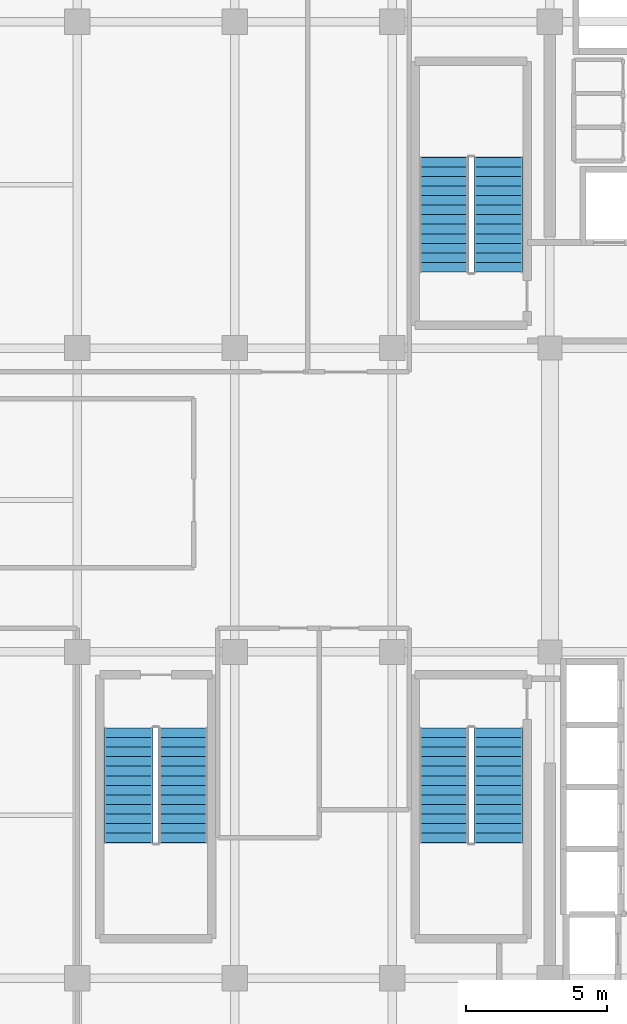
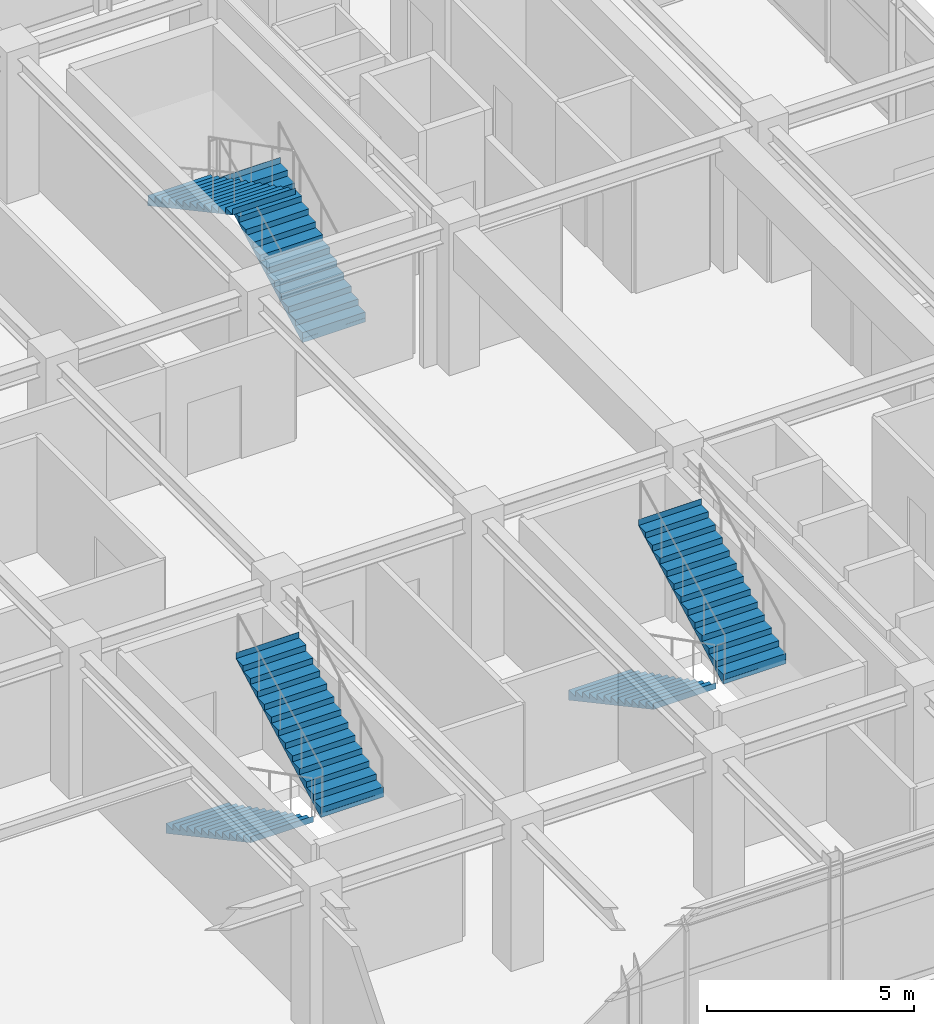
# One storey, part 22 of 25: 6 stair flights, 3 elements without a shape of their own.
"""IFC4 building model written with IfcOpenShell, lengths in metres."""

from ifc_helpers import new_model, si_unit, direction, frame, origin, place, context, subcontext, project, spatial, polyline, outline, extrude, source, transform, mapped, material, layer, layer_set, type_object, element, aggregate, save


model = new_model("IFC4")

# Units and contexts
model_context = context("Model", 3, precision=1e-05, world=origin(), true_north=direction((0.0, 1.0)))
body_context = subcontext(model_context, "Body", "Model", "MODEL_VIEW")
ifc_project = project(units=[si_unit("LENGTHUNIT", "METRE"), si_unit("AREAUNIT", "SQUARE_METRE"), si_unit("VOLUMEUNIT", "CUBIC_METRE"), si_unit("PLANEANGLEUNIT", "RADIAN"), si_unit("MASSUNIT", "GRAM", prefix="KILO")], contexts=[model_context])

# Site, building, storey
site_placement = place(None, origin())
site = spatial("IfcSite", under=ifc_project, at=site_placement, CompositionType="ELEMENT")
building_placement = place(site_placement, origin())
building = spatial("IfcBuilding", under=site, at=building_placement, Name="Nahalor Promenade Grand Hotel", CompositionType="ELEMENT")
storey_placement = place(building_placement, frame((0.0, 0.0, 338.550048828125)))
storey = spatial("IfcBuildingStorey", under=building, at=storey_placement, Name="L87", CompositionType="ELEMENT", Elevation=338.550048828125)

# Stair, stair flights
ifc_material = material(Name="Concrete B-50 (C40/50)", Category="concrete")
stair_type_1 = type_object("IfcStairType", Name="Stair-ST1", PredefinedType="HALF_TURN_STAIR", material=ifc_material)
stair_1_placement = place(storey_placement, origin())
stair_1 = element("IfcStair", 1, at=stair_1_placement, inside=storey, type_object=stair_type_1, Name="L87 ST1", PredefinedType="HALF_TURN_STAIR")
ifc_layer_1 = layer(ifc_material, 0.179931640625)
ifc_layer_set_1 = layer_set([ifc_layer_1], Name="Concrete B-50 (C40/50)")
stair_flight_type_1 = type_object("IfcStairFlightType", Name="Flight-ST1", PredefinedType="STRAIGHT", material=ifc_layer_set_1)
shared_shape_1 = source(origin(), body_context, "Body", "SweptSolid", [
    extrude(outline(polyline([(-0.00390625, -0.1201171875), (-0.00390625, 0.0), (0.0, 0.0), (0.0, 0.173095703125), (0.340087890625, 0.173095703125), (0.340087890625, 0.34619140625), (0.679931640625, 0.34619140625), (0.679931640625, 0.519287109375), (1.02001953125, 0.519287109375), (1.02001953125, 0.6923828125), (1.360107421875, 0.6923828125), (1.360107421875, 0.865478515625), (1.699951171875, 0.865478515625), (1.699951171875, 1.03857421875), (2.0400390625, 1.03857421875), (2.0400390625, 1.21142578125), (2.3798828125, 1.21142578125), (2.3798828125, 1.384521484375), (2.719970703125, 1.384521484375), (2.719970703125, 1.5576171875), (3.06005859375, 1.5576171875), (3.06005859375, 1.730712890625), (3.39990234375, 1.730712890625), (3.39990234375, 1.90380859375), (3.739990234375, 1.90380859375), (3.739990234375, 2.076904296875), (4.080078125, 2.076904296875), (4.080078125, 2.25), (4.083984375, 2.25), (4.083984375, 2.070068359375), (0.02001953125, -0.1201171875), (-0.00390625, -0.1201171875)])), frame((0.0, 0.875, 0.0), z_axis=(0.0, -1.0, 0.0), x_axis=(1.0, 0.0, 0.0)), (0.0, 0.0, 1.0), 1.75),
])
stair_flight_1_placement = place(storey_placement, frame((6.574951171875, 8.10009765625, 0.0), z_axis=(0.0, 0.0, 1.0), x_axis=(0.0, 1.0, 0.0)))
stair_flight_1 = element("IfcStairFlight", 2, at=stair_flight_1_placement, type_object=stair_flight_type_1, Name="ST1 flight 1", NumberOfRisers=13, NumberOfTreads=12, PredefinedType="STRAIGHT", RiserHeight=0.173076923, TreadLength=0.34, context=body_context, shape_type="MappedRepresentation", body=[
    mapped(shared_shape_1, transform((0.0, 0.0, 0.0), scale=1.0)),
])
stair_flight_2_placement = place(storey_placement, frame((4.625, 12.179931640625, 2.25), z_axis=(0.0, 0.0, 1.0), x_axis=(0.0, -1.0, 0.0)))
stair_flight_2 = element("IfcStairFlight", 3, at=stair_flight_2_placement, type_object=stair_flight_type_1, Name="ST1 flight 2", NumberOfRisers=13, NumberOfTreads=12, PredefinedType="STRAIGHT", RiserHeight=0.173076923, TreadLength=0.34, context=body_context, shape_type="MappedRepresentation", body=[
    mapped(shared_shape_1, transform((0.0, 0.0, 0.0), scale=1.0)),
])
aggregate(stair_1, [stair_flight_1, stair_flight_2])

stair_type_2 = type_object("IfcStairType", Name="Stair-ST2", PredefinedType="HALF_TURN_STAIR", material=ifc_material)
stair_2_placement = place(storey_placement, origin())
stair_2 = element("IfcStair", 4, at=stair_2_placement, inside=storey, type_object=stair_type_2, Name="L87 ST2", PredefinedType="HALF_TURN_STAIR")
ifc_layer_2 = layer(ifc_material, 0.18994140625)
ifc_layer_set_2 = layer_set([ifc_layer_2], Name="Concrete B-50 (C40/50)")
stair_flight_type_2 = type_object("IfcStairFlightType", Name="Flight-ST2", PredefinedType="STRAIGHT", material=ifc_layer_set_2)
shared_shape_2 = source(origin(), body_context, "Body", "SweptSolid", [
    extrude(outline(polyline([(-0.00390625, -0.1201171875), (-0.00390625, 0.0), (0.0, 0.0), (0.0, 0.173095703125), (0.340087890625, 0.173095703125), (0.340087890625, 0.34619140625), (0.679931640625, 0.34619140625), (0.679931640625, 0.519287109375), (1.02001953125, 0.519287109375), (1.02001953125, 0.6923828125), (1.360107421875, 0.6923828125), (1.360107421875, 0.865478515625), (1.699951171875, 0.865478515625), (1.699951171875, 1.03857421875), (2.0400390625, 1.03857421875), (2.0400390625, 1.21142578125), (2.3798828125, 1.21142578125), (2.3798828125, 1.384521484375), (2.719970703125, 1.384521484375), (2.719970703125, 1.5576171875), (3.06005859375, 1.5576171875), (3.06005859375, 1.730712890625), (3.39990234375, 1.730712890625), (3.39990234375, 1.90380859375), (3.739990234375, 1.90380859375), (3.739990234375, 2.076904296875), (4.080078125, 2.076904296875), (4.080078125, 2.25), (4.083984375, 2.25), (4.083984375, 2.070068359375), (0.02001953125, -0.1201171875), (-0.00390625, -0.1201171875)])), frame((0.0, 0.875, 0.0), z_axis=(0.0, -1.0, 0.0), x_axis=(1.0, 0.0, 0.0)), (0.0, 0.0, 1.0), 1.75),
])
stair_flight_3_placement = place(storey_placement, frame((4.625, -8.10009765625, 0.0), z_axis=(0.0, 0.0, 1.0), x_axis=(0.0, -1.0, 0.0)))
stair_flight_3 = element("IfcStairFlight", 5, at=stair_flight_3_placement, type_object=stair_flight_type_2, Name="ST2 flight 1", NumberOfRisers=13, NumberOfTreads=12, PredefinedType="STRAIGHT", RiserHeight=0.173076923, TreadLength=0.34, context=body_context, shape_type="MappedRepresentation", body=[
    mapped(shared_shape_2, transform((0.0, 0.0, 0.0), scale=1.0)),
])
stair_flight_4_placement = place(storey_placement, frame((6.574951171875, -12.179931640625, 2.25), z_axis=(0.0, 0.0, 1.0), x_axis=(0.0, 1.0, 0.0)))
stair_flight_4 = element("IfcStairFlight", 6, at=stair_flight_4_placement, type_object=stair_flight_type_2, Name="ST2 flight 2", NumberOfRisers=13, NumberOfTreads=12, PredefinedType="STRAIGHT", RiserHeight=0.173076923, TreadLength=0.34, context=body_context, shape_type="MappedRepresentation", body=[
    mapped(shared_shape_2, transform((0.0, 0.0, 0.0), scale=1.0)),
])
aggregate(stair_2, [stair_flight_3, stair_flight_4])

stair_type_3 = type_object("IfcStairType", Name="Stair-ST3", PredefinedType="HALF_TURN_STAIR", material=ifc_material)
stair_3_placement = place(storey_placement, origin())
stair_3 = element("IfcStair", 7, at=stair_3_placement, inside=storey, type_object=stair_type_3, Name="L87 ST3", PredefinedType="HALF_TURN_STAIR")
ifc_layer_3 = layer(ifc_material, 0.199951171875)
ifc_layer_set_3 = layer_set([ifc_layer_3], Name="Concrete B-50 (C40/50)")
stair_flight_type_3 = type_object("IfcStairFlightType", Name="Flight-ST3", PredefinedType="STRAIGHT", material=ifc_layer_set_3)
shared_shape_3 = source(origin(), body_context, "Body", "SweptSolid", [
    extrude(outline(polyline([(-0.00390625, -0.1201171875), (-0.00390625, 0.0), (0.0, 0.0), (0.0, 0.173095703125), (0.340087890625, 0.173095703125), (0.340087890625, 0.34619140625), (0.679931640625, 0.34619140625), (0.679931640625, 0.519287109375), (1.02001953125, 0.519287109375), (1.02001953125, 0.6923828125), (1.360107421875, 0.6923828125), (1.360107421875, 0.865478515625), (1.699951171875, 0.865478515625), (1.699951171875, 1.03857421875), (2.0400390625, 1.03857421875), (2.0400390625, 1.21142578125), (2.3798828125, 1.21142578125), (2.3798828125, 1.384521484375), (2.719970703125, 1.384521484375), (2.719970703125, 1.5576171875), (3.06005859375, 1.5576171875), (3.06005859375, 1.730712890625), (3.39990234375, 1.730712890625), (3.39990234375, 1.90380859375), (3.739990234375, 1.90380859375), (3.739990234375, 2.076904296875), (4.080078125, 2.076904296875), (4.080078125, 2.25), (4.083984375, 2.25), (4.083984375, 2.070068359375), (0.02001953125, -0.1201171875), (-0.00390625, -0.1201171875)])), frame((0.0, 0.875, 0.0), z_axis=(0.0, -1.0, 0.0), x_axis=(1.0, 0.0, 0.0)), (0.0, 0.0, 1.0), 1.75),
])
stair_flight_5_placement = place(storey_placement, frame((-6.574951171875, -8.10009765625, 0.0), z_axis=(0.0, 0.0, 1.0), x_axis=(0.0, -1.0, 0.0)))
stair_flight_5 = element("IfcStairFlight", 8, at=stair_flight_5_placement, type_object=stair_flight_type_3, Name="ST3 flight 1", NumberOfRisers=13, NumberOfTreads=12, PredefinedType="STRAIGHT", RiserHeight=0.173076923, TreadLength=0.34, context=body_context, shape_type="MappedRepresentation", body=[
    mapped(shared_shape_3, transform((0.0, 0.0, 0.0), scale=1.0)),
])
stair_flight_6_placement = place(storey_placement, frame((-4.625, -12.179931640625, 2.25), z_axis=(0.0, 0.0, 1.0), x_axis=(0.0, 1.0, 0.0)))
stair_flight_6 = element("IfcStairFlight", 9, at=stair_flight_6_placement, type_object=stair_flight_type_3, Name="ST3 flight 2", NumberOfRisers=13, NumberOfTreads=12, PredefinedType="STRAIGHT", RiserHeight=0.173076923, TreadLength=0.34, context=body_context, shape_type="MappedRepresentation", body=[
    mapped(shared_shape_3, transform((0.0, 0.0, 0.0), scale=1.0)),
])
aggregate(stair_3, [stair_flight_5, stair_flight_6])

save(model, "model.ifc")
